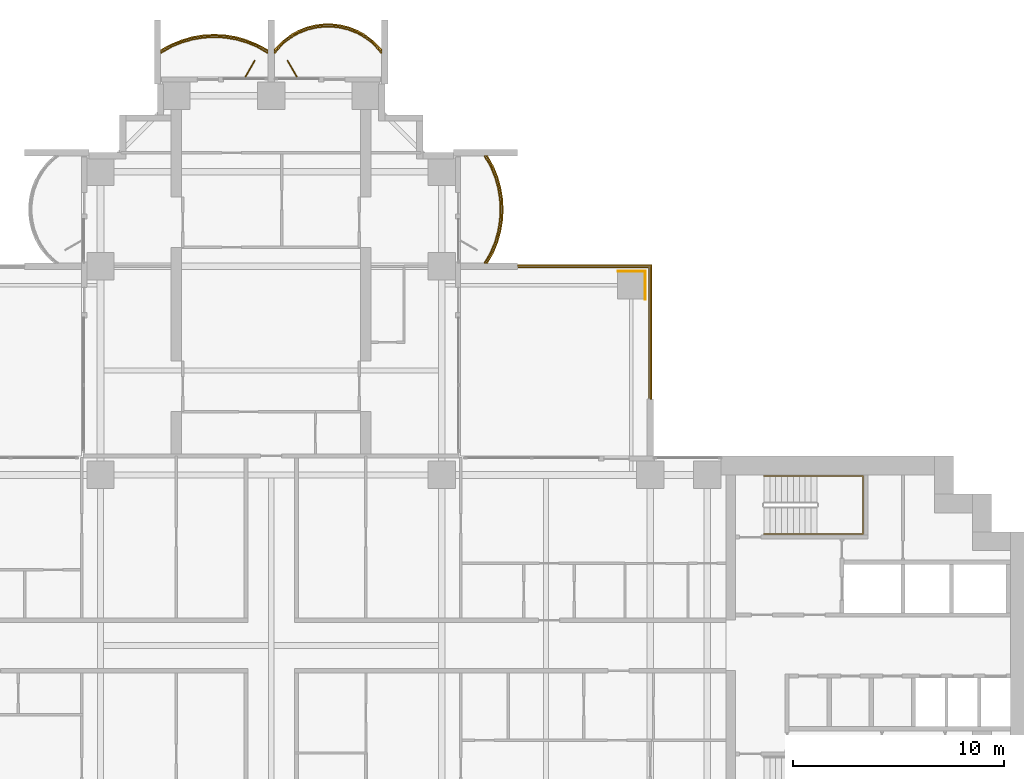
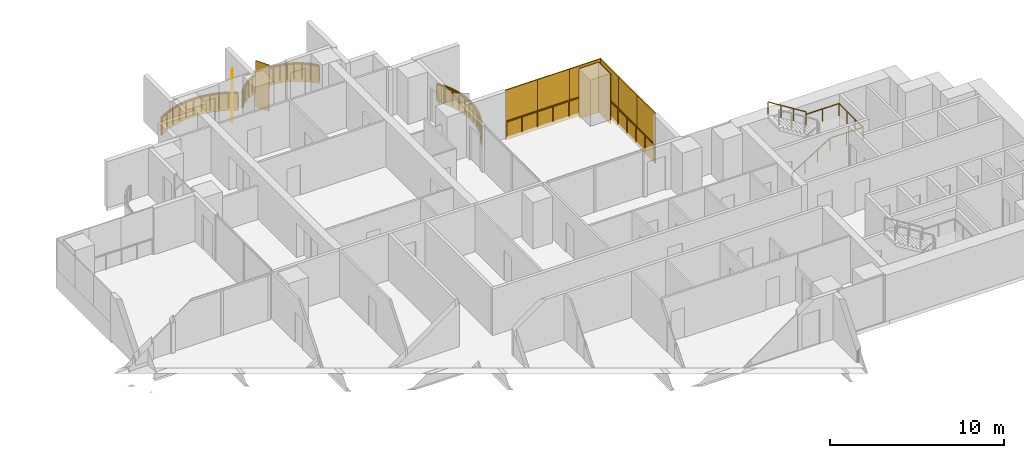
# One storey, part 20 of 20: 12 coverings, 5 railings, 2 shading devices.
"""IFC4 building model written with IfcOpenShell, lengths in metres."""

from ifc_helpers import new_model, si_unit, direction, frame, origin, origin_2d, place, context, subcontext, project, spatial, polyline, rectangle, outline, extrude, material, layer, layer_set, type_object, element, save


model = new_model("IFC4")

# Units and contexts
model_context = context("Model", 3, precision=1e-05, world=origin(), true_north=direction((0.0, 1.0)))
body_context = subcontext(model_context, "Body", "Model", "MODEL_VIEW")
ifc_project = project(units=[si_unit("LENGTHUNIT", "METRE"), si_unit("AREAUNIT", "SQUARE_METRE"), si_unit("VOLUMEUNIT", "CUBIC_METRE"), si_unit("PLANEANGLEUNIT", "RADIAN"), si_unit("MASSUNIT", "GRAM", prefix="KILO")], contexts=[model_context])

# Site, building, storey
site_placement = place(None, origin())
site = spatial("IfcSite", under=ifc_project, at=site_placement, CompositionType="ELEMENT")
building_placement = place(site_placement, origin())
building = spatial("IfcBuilding", under=site, at=building_placement, Name="Perihelion Cross Residences", CompositionType="ELEMENT")
storey_placement = place(building_placement, frame((0.0, 0.0, 82.0)))
storey = spatial("IfcBuildingStorey", under=building, at=storey_placement, Name="L18", CompositionType="ELEMENT", Elevation=82.0)

# Coverings
ifc_material_1 = material(Name="Bronze anodised aluminium", Category="aluminium")
ifc_layer_1 = layer(ifc_material_1, 0.070068359375)
ifc_layer_set_1 = layer_set([ifc_layer_1], Name="Balcony fascia 1300")
covering_type_1 = type_object("IfcCoveringType", Name="Balcony fascia 1300", PredefinedType="CLADDING", material=ifc_layer_set_1)
covering_1_placement = place(storey_placement, frame((0.0, 0.0, -0.199951171875)))
element("IfcCovering", 1, at=covering_1_placement, inside=storey, type_object=covering_type_1, Name="Fascia BF1 L18 north side east bay 2", PredefinedType="CLADDING", context=body_context, shape_type="SweptSolid", body=[
    extrude(outline(polyline([(10.54833984375, 18.629638671875), (10.7607421875, 19.147216796875), (10.906494140625, 19.664794921875), (10.991943359375, 20.182373046875), (11.02001953125, 20.699951171875), (10.991943359375, 21.217529296875), (10.906494140625, 21.735107421875), (10.7607421875, 22.2529296875), (10.54833984375, 22.7705078125), (10.2802734375, 23.25), (10.199951171875, 23.25), (10.4853515625, 22.739990234375), (10.694580078125, 22.22998046875), (10.838134765625, 21.719970703125), (10.92236328125, 21.2099609375), (10.949951171875, 20.699951171875), (10.92236328125, 20.18994140625), (10.838134765625, 19.679931640625), (10.694580078125, 19.169921875), (10.4853515625, 18.659912109375), (10.199951171875, 18.14990234375), (10.2802734375, 18.14990234375), (10.54833984375, 18.629638671875)])), origin(), (0.0, 0.0, 1.0), 1.300048828125),
])
covering_2_placement = place(storey_placement, frame((0.0, 0.0, -0.199951171875)))
element("IfcCovering", 2, at=covering_2_placement, inside=storey, type_object=covering_type_1, Name="Fascia BF1 L18 north tip north bay 1", PredefinedType="CLADDING", context=body_context, shape_type="SweptSolid", body=[
    extrude(outline(polyline([(4.90478515625, 28.674072265625), (4.50390625, 28.982666015625), (4.10302734375, 29.20654296875), (3.7021484375, 29.364013671875), (3.30126953125, 29.464599609375), (2.900390625, 29.513916015625), (2.49951171875, 29.513916015625), (2.0986328125, 29.464599609375), (1.69775390625, 29.364013671875), (1.296875, 29.20654296875), (0.89599609375, 28.982666015625), (0.4951171875, 28.674072265625), (0.14990234375, 28.302734375), (0.14990234375, 28.199951171875), (0.542236328125, 28.622314453125), (0.9345703125, 28.924072265625), (1.326904296875, 29.143310546875), (1.71923828125, 29.29736328125), (2.111572265625, 29.39599609375), (2.50390625, 29.444091796875), (2.896240234375, 29.444091796875), (3.28857421875, 29.39599609375), (3.6806640625, 29.29736328125), (4.072998046875, 29.143310546875), (4.46533203125, 28.924072265625), (4.857666015625, 28.622314453125), (5.25, 28.199951171875), (5.25, 28.302734375), (4.90478515625, 28.674072265625)])), origin(), (0.0, 0.0, 1.0), 1.300048828125),
])
covering_3_placement = place(storey_placement, frame((0.0, 0.0, -0.199951171875)))
element("IfcCovering", 3, at=covering_3_placement, inside=storey, type_object=covering_type_1, Name="Fascia BF1 L18 north tip north bay 2", PredefinedType="CLADDING", context=body_context, shape_type="SweptSolid", body=[
    extrude(outline(polyline([(-0.629638671875, 28.54833984375), (-1.147216796875, 28.7607421875), (-1.664794921875, 28.906494140625), (-2.182373046875, 28.991943359375), (-2.699951171875, 29.02001953125), (-3.217529296875, 28.991943359375), (-3.735107421875, 28.906494140625), (-4.2529296875, 28.7607421875), (-4.7705078125, 28.54833984375), (-5.25, 28.2802734375), (-5.25, 28.199951171875), (-4.739990234375, 28.4853515625), (-4.22998046875, 28.694580078125), (-3.719970703125, 28.838134765625), (-3.2099609375, 28.92236328125), (-2.699951171875, 28.949951171875), (-2.18994140625, 28.92236328125), (-1.679931640625, 28.838134765625), (-1.169921875, 28.694580078125), (-0.659912109375, 28.4853515625), (-0.14990234375, 28.199951171875), (-0.14990234375, 28.2802734375), (-0.629638671875, 28.54833984375)])), origin(), (0.0, 0.0, 1.0), 1.300048828125),
])

# Railings
ifc_material_2 = material(Name="Bronze anodised aluminium", Category="aluminium")
railing_type_1 = type_object("IfcRailingType", Name="Balcony guard 1100", PredefinedType="GUARDRAIL", material=ifc_material_2)
railing_1_placement = place(storey_placement, frame((10.139892578125, 18.175048828125, 0.0)))
element("IfcRailing", 4, at=railing_1_placement, inside=storey, type_object=railing_type_1, Name="Guard GU1 L18 north side east bay 2 balcony", PredefinedType="GUARDRAIL", context=body_context, shape_type="SweptSolid", body=[
    extrude(rectangle(XDim=0.048095703125, YDim=0.048095703125, at=origin_2d()), frame((0.0, 0.0, 1.076171875), z_axis=(0.507266632806, 0.861789164031, 0.0), x_axis=(-0.861789164031, 0.507266632806, 0.0)), (0.0, 0.0, 1.0), 0.562744140625),
    extrude(rectangle(XDim=0.048095703125, YDim=0.048095703125, at=origin_2d()), frame((0.285400390625, 0.48486328125, 1.076171875), z_axis=(0.379546636342, 0.925172605972, 0.0), x_axis=(-0.925172605972, 0.379546636342, 0.0)), (0.0, 0.0, 1.0), 0.55126953125),
    extrude(rectangle(XDim=0.048095703125, YDim=0.048095703125, at=origin_2d()), frame((0.49462890625, 0.994873046875, 1.076171875), z_axis=(0.271372618732, 0.962474364231, 0.0), x_axis=(-0.962474364231, 0.271372618732, 0.0)), (0.0, 0.0, 1.0), 0.52978515625),
    extrude(rectangle(XDim=0.048095703125, YDim=0.048095703125, at=origin_2d()), frame((0.638427734375, 1.5048828125, 1.076171875), z_axis=(0.162483799314, 0.986711211531, 0.0), x_axis=(-0.986711211531, 0.162483799314, 0.0)), (0.0, 0.0, 1.0), 0.516845703125),
    extrude(rectangle(XDim=0.048095703125, YDim=0.048095703125, at=origin_2d()), frame((0.722412109375, 2.014892578125, 1.076171875), z_axis=(0.05401390175, 0.998540183677, 0.0), x_axis=(-0.998540183677, 0.05401390175, 0.0)), (0.0, 0.0, 1.0), 0.5107421875),
    extrude(rectangle(XDim=0.048095703125, YDim=0.048095703125, at=origin_2d()), frame((0.75, 2.52490234375, 1.076171875), z_axis=(-0.05401390175, 0.998540183677, 0.0), x_axis=(-0.998540183677, -0.05401390175, 0.0)), (0.0, 0.0, 1.0), 0.5107421875),
    extrude(rectangle(XDim=0.048095703125, YDim=0.048095703125, at=origin_2d()), frame((0.722412109375, 3.034912109375, 1.076171875), z_axis=(-0.162483799314, 0.986711211531, 0.0), x_axis=(-0.986711211531, -0.162483799314, 0.0)), (0.0, 0.0, 1.0), 0.516845703125),
    extrude(rectangle(XDim=0.048095703125, YDim=0.048095703125, at=origin_2d()), frame((0.638427734375, 3.544921875, 1.076171875), z_axis=(-0.271372618732, 0.962474364231, 0.0), x_axis=(-0.962474364231, -0.271372618732, 0.0)), (0.0, 0.0, 1.0), 0.52978515625),
    extrude(rectangle(XDim=0.048095703125, YDim=0.048095703125, at=origin_2d()), frame((0.49462890625, 4.054931640625, 1.076171875), z_axis=(-0.379546636342, 0.925172605972, 0.0), x_axis=(-0.925172605972, -0.379546636342, 0.0)), (0.0, 0.0, 1.0), 0.55126953125),
    extrude(rectangle(XDim=0.048095703125, YDim=0.048095703125, at=origin_2d()), frame((0.285400390625, 4.56494140625, 1.076171875), z_axis=(-0.507076995033, 0.861900760591, 0.0), x_axis=(-0.861900760591, -0.507076995033, 0.0)), (0.0, 0.0, 1.0), 0.562744140625),
    extrude(rectangle(XDim=0.0419921875, YDim=0.0419921875, at=origin_2d()), origin(), (0.0, 0.0, 1.0), 1.052001953125),
    extrude(rectangle(XDim=0.0419921875, YDim=0.0419921875, at=origin_2d()), frame((0.285400390625, 0.48486328125, 0.0)), (0.0, 0.0, 1.0), 1.052001953125),
    extrude(rectangle(XDim=0.0419921875, YDim=0.0419921875, at=origin_2d()), frame((0.49462890625, 0.994873046875, 0.0)), (0.0, 0.0, 1.0), 1.052001953125),
    extrude(rectangle(XDim=0.0419921875, YDim=0.0419921875, at=origin_2d()), frame((0.638427734375, 1.5048828125, 0.0)), (0.0, 0.0, 1.0), 1.052001953125),
    extrude(rectangle(XDim=0.0419921875, YDim=0.0419921875, at=origin_2d()), frame((0.722412109375, 2.014892578125, 0.0)), (0.0, 0.0, 1.0), 1.052001953125),
    extrude(rectangle(XDim=0.0419921875, YDim=0.0419921875, at=origin_2d()), frame((0.75, 2.52490234375, 0.0)), (0.0, 0.0, 1.0), 1.052001953125),
    extrude(rectangle(XDim=0.0419921875, YDim=0.0419921875, at=origin_2d()), frame((0.722412109375, 3.034912109375, 0.0)), (0.0, 0.0, 1.0), 1.052001953125),
    extrude(rectangle(XDim=0.0419921875, YDim=0.0419921875, at=origin_2d()), frame((0.638427734375, 3.544921875, 0.0)), (0.0, 0.0, 1.0), 1.052001953125),
    extrude(rectangle(XDim=0.0419921875, YDim=0.0419921875, at=origin_2d()), frame((0.49462890625, 4.054931640625, 0.0)), (0.0, 0.0, 1.0), 1.052001953125),
    extrude(rectangle(XDim=0.0419921875, YDim=0.0419921875, at=origin_2d()), frame((0.285400390625, 4.56494140625, 0.0)), (0.0, 0.0, 1.0), 1.052001953125),
    extrude(rectangle(XDim=0.0419921875, YDim=0.0419921875, at=origin_2d()), frame((0.0, 5.050048828125, 0.0)), (0.0, 0.0, 1.0), 1.052001953125),
])
railing_2_placement = place(storey_placement, frame((5.22509765625, 28.139892578125, 0.0)))
element("IfcRailing", 5, at=railing_2_placement, inside=storey, type_object=railing_type_1, Name="Guard GU1 L18 north tip north bay 1 balcony", PredefinedType="GUARDRAIL", context=body_context, shape_type="SweptSolid", body=[
    extrude(rectangle(XDim=0.048095703125, YDim=0.048095703125, at=origin_2d()), frame((0.0, 0.0, 1.076171875), z_axis=(-0.656340655493, 0.754464673757, 0.0), x_axis=(-0.754464673757, -0.656340655493, 0.0)), (0.0, 0.0, 1.0), 0.559814453125),
    extrude(rectangle(XDim=0.048095703125, YDim=0.048095703125, at=origin_2d()), frame((-0.367431640625, 0.42236328125, 1.076171875), z_axis=(-0.792660660899, 0.60966308455, 0.0), x_axis=(-0.60966308455, -0.792660660899, 0.0)), (0.0, 0.0, 1.0), 0.494873046875),
    extrude(rectangle(XDim=0.048095703125, YDim=0.048095703125, at=origin_2d()), frame((-0.759765625, 0.72412109375, 1.076171875), z_axis=(-0.872950285698, 0.487809182674, 0.0), x_axis=(-0.487809182674, -0.872950285698, 0.0)), (0.0, 0.0, 1.0), 0.449462890625),
    extrude(rectangle(XDim=0.048095703125, YDim=0.048095703125, at=origin_2d()), frame((-1.152099609375, 0.943359375, 1.076171875), z_axis=(-0.930814842219, 0.365491079925, 0.0), x_axis=(-0.365491079925, -0.930814842219, 0.0)), (0.0, 0.0, 1.0), 0.42138671875),
    extrude(rectangle(XDim=0.048095703125, YDim=0.048095703125, at=origin_2d()), frame((-1.54443359375, 1.097412109375, 1.076171875), z_axis=(-0.969786252666, 0.243956193074, 0.0), x_axis=(-0.243956193074, -0.969786252666, 0.0)), (0.0, 0.0, 1.0), 0.404296875),
    extrude(rectangle(XDim=0.048095703125, YDim=0.048095703125, at=origin_2d()), frame((-1.9365234375, 1.196044921875, 1.076171875), z_axis=(-0.992569651699, 0.121677797999, 0.0), x_axis=(-0.121677797999, -0.992569651699, 0.0)), (0.0, 0.0, 1.0), 0.395263671875),
    extrude(rectangle(XDim=0.048095703125, YDim=0.048095703125, at=origin_2d()), frame((-2.328857421875, 1.244140625, 1.076171875), z_axis=(-1.0, 0.0, 0.0), x_axis=(0.0, -1.0, 0.0)), (0.0, 0.0, 1.0), 0.392333984375),
    extrude(rectangle(XDim=0.048095703125, YDim=0.048095703125, at=origin_2d()), frame((-2.72119140625, 1.244140625, 1.076171875), z_axis=(-0.992569651699, -0.121677797999, 0.0), x_axis=(0.121677797999, -0.992569651699, 0.0)), (0.0, 0.0, 1.0), 0.395263671875),
    extrude(rectangle(XDim=0.048095703125, YDim=0.048095703125, at=origin_2d()), frame((-3.113525390625, 1.196044921875, 1.076171875), z_axis=(-0.969822159145, -0.243813411509, 0.0), x_axis=(0.243813411509, -0.969822159145, 0.0)), (0.0, 0.0, 1.0), 0.404541015625),
    extrude(rectangle(XDim=0.048095703125, YDim=0.048095703125, at=origin_2d()), frame((-3.505859375, 1.097412109375, 1.076171875), z_axis=(-0.930814842219, -0.365491079925, 0.0), x_axis=(0.365491079925, -0.930814842219, 0.0)), (0.0, 0.0, 1.0), 0.42138671875),
    extrude(rectangle(XDim=0.048095703125, YDim=0.048095703125, at=origin_2d()), frame((-3.898193359375, 0.943359375, 1.076171875), z_axis=(-0.872950285698, -0.487809182674, 0.0), x_axis=(0.487809182674, -0.872950285698, 0.0)), (0.0, 0.0, 1.0), 0.449462890625),
    extrude(rectangle(XDim=0.048095703125, YDim=0.048095703125, at=origin_2d()), frame((-4.29052734375, 0.72412109375, 1.076171875), z_axis=(-0.792660660899, -0.60966308455, 0.0), x_axis=(0.60966308455, -0.792660660899, 0.0)), (0.0, 0.0, 1.0), 0.494873046875),
    extrude(rectangle(XDim=0.048095703125, YDim=0.048095703125, at=origin_2d()), frame((-4.682861328125, 0.42236328125, 1.076171875), z_axis=(-0.656092309534, -0.754680648599, 0.0), x_axis=(0.754680648599, -0.656092309534, 0.0)), (0.0, 0.0, 1.0), 0.5595703125),
    extrude(rectangle(XDim=0.0419921875, YDim=0.0419921875, at=origin_2d()), origin(), (0.0, 0.0, 1.0), 1.052001953125),
    extrude(rectangle(XDim=0.0419921875, YDim=0.0419921875, at=origin_2d()), frame((-0.367431640625, 0.42236328125, 0.0)), (0.0, 0.0, 1.0), 1.052001953125),
    extrude(rectangle(XDim=0.0419921875, YDim=0.0419921875, at=origin_2d()), frame((-0.759765625, 0.72412109375, 0.0)), (0.0, 0.0, 1.0), 1.052001953125),
    extrude(rectangle(XDim=0.0419921875, YDim=0.0419921875, at=origin_2d()), frame((-1.152099609375, 0.943359375, 0.0)), (0.0, 0.0, 1.0), 1.052001953125),
    extrude(rectangle(XDim=0.0419921875, YDim=0.0419921875, at=origin_2d()), frame((-1.54443359375, 1.097412109375, 0.0)), (0.0, 0.0, 1.0), 1.052001953125),
    extrude(rectangle(XDim=0.0419921875, YDim=0.0419921875, at=origin_2d()), frame((-1.9365234375, 1.196044921875, 0.0)), (0.0, 0.0, 1.0), 1.052001953125),
    extrude(rectangle(XDim=0.0419921875, YDim=0.0419921875, at=origin_2d()), frame((-2.328857421875, 1.244140625, 0.0)), (0.0, 0.0, 1.0), 1.052001953125),
    extrude(rectangle(XDim=0.0419921875, YDim=0.0419921875, at=origin_2d()), frame((-2.72119140625, 1.244140625, 0.0)), (0.0, 0.0, 1.0), 1.052001953125),
    extrude(rectangle(XDim=0.0419921875, YDim=0.0419921875, at=origin_2d()), frame((-3.113525390625, 1.196044921875, 0.0)), (0.0, 0.0, 1.0), 1.052001953125),
    extrude(rectangle(XDim=0.0419921875, YDim=0.0419921875, at=origin_2d()), frame((-3.505859375, 1.097412109375, 0.0)), (0.0, 0.0, 1.0), 1.052001953125),
    extrude(rectangle(XDim=0.0419921875, YDim=0.0419921875, at=origin_2d()), frame((-3.898193359375, 0.943359375, 0.0)), (0.0, 0.0, 1.0), 1.052001953125),
    extrude(rectangle(XDim=0.0419921875, YDim=0.0419921875, at=origin_2d()), frame((-4.29052734375, 0.72412109375, 0.0)), (0.0, 0.0, 1.0), 1.052001953125),
    extrude(rectangle(XDim=0.0419921875, YDim=0.0419921875, at=origin_2d()), frame((-4.682861328125, 0.42236328125, 0.0)), (0.0, 0.0, 1.0), 1.052001953125),
    extrude(rectangle(XDim=0.0419921875, YDim=0.0419921875, at=origin_2d()), frame((-5.050048828125, 0.0, 0.0)), (0.0, 0.0, 1.0), 1.052001953125),
])
railing_3_placement = place(storey_placement, frame((-0.175048828125, 28.139892578125, 0.0)))
element("IfcRailing", 6, at=railing_3_placement, inside=storey, type_object=railing_type_1, Name="Guard GU1 L18 north tip north bay 2 balcony", PredefinedType="GUARDRAIL", context=body_context, shape_type="SweptSolid", body=[
    extrude(rectangle(XDim=0.048095703125, YDim=0.048095703125, at=origin_2d()), frame((0.0, 0.0, 1.076171875), z_axis=(-0.861789164031, 0.507266632806, 0.0), x_axis=(-0.507266632806, -0.861789164031, 0.0)), (0.0, 0.0, 1.0), 0.562744140625),
    extrude(rectangle(XDim=0.048095703125, YDim=0.048095703125, at=origin_2d()), frame((-0.48486328125, 0.285400390625, 1.076171875), z_axis=(-0.925172605972, 0.379546636342, 0.0), x_axis=(-0.379546636342, -0.925172605972, 0.0)), (0.0, 0.0, 1.0), 0.55126953125),
    extrude(rectangle(XDim=0.048095703125, YDim=0.048095703125, at=origin_2d()), frame((-0.994873046875, 0.49462890625, 1.076171875), z_axis=(-0.962474364231, 0.271372618732, 0.0), x_axis=(-0.271372618732, -0.962474364231, 0.0)), (0.0, 0.0, 1.0), 0.52978515625),
    extrude(rectangle(XDim=0.048095703125, YDim=0.048095703125, at=origin_2d()), frame((-1.5048828125, 0.638427734375, 1.076171875), z_axis=(-0.986711211531, 0.162483799314, 0.0), x_axis=(-0.162483799314, -0.986711211531, 0.0)), (0.0, 0.0, 1.0), 0.516845703125),
    extrude(rectangle(XDim=0.048095703125, YDim=0.048095703125, at=origin_2d()), frame((-2.014892578125, 0.722412109375, 1.076171875), z_axis=(-0.998540183677, 0.05401390175, 0.0), x_axis=(-0.05401390175, -0.998540183677, 0.0)), (0.0, 0.0, 1.0), 0.5107421875),
    extrude(rectangle(XDim=0.048095703125, YDim=0.048095703125, at=origin_2d()), frame((-2.52490234375, 0.75, 1.076171875), z_axis=(-0.998540183677, -0.05401390175, 0.0), x_axis=(0.05401390175, -0.998540183677, 0.0)), (0.0, 0.0, 1.0), 0.5107421875),
    extrude(rectangle(XDim=0.048095703125, YDim=0.048095703125, at=origin_2d()), frame((-3.034912109375, 0.722412109375, 1.076171875), z_axis=(-0.986711211531, -0.162483799314, 0.0), x_axis=(0.162483799314, -0.986711211531, 0.0)), (0.0, 0.0, 1.0), 0.516845703125),
    extrude(rectangle(XDim=0.048095703125, YDim=0.048095703125, at=origin_2d()), frame((-3.544921875, 0.638427734375, 1.076171875), z_axis=(-0.962474364231, -0.271372618732, 0.0), x_axis=(0.271372618732, -0.962474364231, 0.0)), (0.0, 0.0, 1.0), 0.52978515625),
    extrude(rectangle(XDim=0.048095703125, YDim=0.048095703125, at=origin_2d()), frame((-4.054931640625, 0.49462890625, 1.076171875), z_axis=(-0.925172605972, -0.379546636342, 0.0), x_axis=(0.379546636342, -0.925172605972, 0.0)), (0.0, 0.0, 1.0), 0.55126953125),
    extrude(rectangle(XDim=0.048095703125, YDim=0.048095703125, at=origin_2d()), frame((-4.56494140625, 0.285400390625, 1.076171875), z_axis=(-0.861900760591, -0.507076995033, 0.0), x_axis=(0.507076995033, -0.861900760591, 0.0)), (0.0, 0.0, 1.0), 0.562744140625),
    extrude(rectangle(XDim=0.0419921875, YDim=0.0419921875, at=origin_2d()), origin(), (0.0, 0.0, 1.0), 1.052001953125),
    extrude(rectangle(XDim=0.0419921875, YDim=0.0419921875, at=origin_2d()), frame((-0.48486328125, 0.285400390625, 0.0)), (0.0, 0.0, 1.0), 1.052001953125),
    extrude(rectangle(XDim=0.0419921875, YDim=0.0419921875, at=origin_2d()), frame((-0.994873046875, 0.49462890625, 0.0)), (0.0, 0.0, 1.0), 1.052001953125),
    extrude(rectangle(XDim=0.0419921875, YDim=0.0419921875, at=origin_2d()), frame((-1.5048828125, 0.638427734375, 0.0)), (0.0, 0.0, 1.0), 1.052001953125),
    extrude(rectangle(XDim=0.0419921875, YDim=0.0419921875, at=origin_2d()), frame((-2.014892578125, 0.722412109375, 0.0)), (0.0, 0.0, 1.0), 1.052001953125),
    extrude(rectangle(XDim=0.0419921875, YDim=0.0419921875, at=origin_2d()), frame((-2.52490234375, 0.75, 0.0)), (0.0, 0.0, 1.0), 1.052001953125),
    extrude(rectangle(XDim=0.0419921875, YDim=0.0419921875, at=origin_2d()), frame((-3.034912109375, 0.722412109375, 0.0)), (0.0, 0.0, 1.0), 1.052001953125),
    extrude(rectangle(XDim=0.0419921875, YDim=0.0419921875, at=origin_2d()), frame((-3.544921875, 0.638427734375, 0.0)), (0.0, 0.0, 1.0), 1.052001953125),
    extrude(rectangle(XDim=0.0419921875, YDim=0.0419921875, at=origin_2d()), frame((-4.054931640625, 0.49462890625, 0.0)), (0.0, 0.0, 1.0), 1.052001953125),
    extrude(rectangle(XDim=0.0419921875, YDim=0.0419921875, at=origin_2d()), frame((-4.56494140625, 0.285400390625, 0.0)), (0.0, 0.0, 1.0), 1.052001953125),
    extrude(rectangle(XDim=0.0419921875, YDim=0.0419921875, at=origin_2d()), frame((-5.050048828125, 0.0, 0.0)), (0.0, 0.0, 1.0), 1.052001953125),
])
railing_4_placement = place(storey_placement, frame((11.739990234375, 17.93994140625, 0.0)))
element("IfcRailing", 7, at=railing_4_placement, inside=storey, type_object=railing_type_1, Name="Guard GU1 L18 pocket north-east 1", PredefinedType="GUARDRAIL", context=body_context, shape_type="SweptSolid", body=[
    extrude(rectangle(XDim=0.048095703125, YDim=0.048095703125, at=origin_2d()), frame((0.0, 0.0, 1.076171875), z_axis=(1.0, 0.0, 0.0), x_axis=(0.0, 1.0, 0.0)), (0.0, 0.0, 1.0), 6.199951171875),
    extrude(rectangle(XDim=0.048095703125, YDim=0.048095703125, at=origin_2d()), frame((6.199951171875, 0.0, 1.076171875), z_axis=(0.0, -1.0, 0.0), x_axis=(1.0, 0.0, 0.0)), (0.0, 0.0, 1.0), 6.199951171875),
    extrude(rectangle(XDim=0.0419921875, YDim=0.0419921875, at=origin_2d()), origin(), (0.0, 0.0, 1.0), 1.052001953125),
    extrude(rectangle(XDim=0.0419921875, YDim=0.0419921875, at=origin_2d()), frame((1.033203125, 0.0, 0.0)), (0.0, 0.0, 1.0), 1.052001953125),
    extrude(rectangle(XDim=0.0419921875, YDim=0.0419921875, at=origin_2d()), frame((2.066650390625, 0.0, 0.0)), (0.0, 0.0, 1.0), 1.052001953125),
    extrude(rectangle(XDim=0.0419921875, YDim=0.0419921875, at=origin_2d()), frame((3.10009765625, 0.0, 0.0)), (0.0, 0.0, 1.0), 1.052001953125),
    extrude(rectangle(XDim=0.0419921875, YDim=0.0419921875, at=origin_2d()), frame((4.13330078125, 0.0, 0.0)), (0.0, 0.0, 1.0), 1.052001953125),
    extrude(rectangle(XDim=0.0419921875, YDim=0.0419921875, at=origin_2d()), frame((5.16650390625, 0.0, 0.0)), (0.0, 0.0, 1.0), 1.052001953125),
    extrude(rectangle(XDim=0.0419921875, YDim=0.0419921875, at=origin_2d()), frame((6.199951171875, 0.0, 0.0)), (0.0, 0.0, 1.0), 1.052001953125),
    extrude(rectangle(XDim=0.0419921875, YDim=0.0419921875, at=origin_2d()), frame((6.199951171875, -1.033203125, 0.0)), (0.0, 0.0, 1.0), 1.052001953125),
    extrude(rectangle(XDim=0.0419921875, YDim=0.0419921875, at=origin_2d()), frame((6.199951171875, -2.066650390625, 0.0)), (0.0, 0.0, 1.0), 1.052001953125),
    extrude(rectangle(XDim=0.0419921875, YDim=0.0419921875, at=origin_2d()), frame((6.199951171875, -3.10009765625, 0.0)), (0.0, 0.0, 1.0), 1.052001953125),
    extrude(rectangle(XDim=0.0419921875, YDim=0.0419921875, at=origin_2d()), frame((6.199951171875, -4.13330078125, 0.0)), (0.0, 0.0, 1.0), 1.052001953125),
    extrude(rectangle(XDim=0.0419921875, YDim=0.0419921875, at=origin_2d()), frame((6.199951171875, -5.16650390625, 0.0)), (0.0, 0.0, 1.0), 1.052001953125),
    extrude(rectangle(XDim=0.0419921875, YDim=0.0419921875, at=origin_2d()), frame((6.199951171875, -6.199951171875, 0.0)), (0.0, 0.0, 1.0), 1.052001953125),
])

# Coverings
ifc_material_3 = material(Name="Bronze anodised aluminium", Category="aluminium")
ifc_layer_2 = layer(ifc_material_3, 0.0400390625)
ifc_layer_set_2 = layer_set([ifc_layer_2], Name="Bronze column casing 40")
covering_type_2 = type_object("IfcCoveringType", Name="Bronze column casing 40", PredefinedType="CLADDING", material=ifc_layer_set_2)
covering_4_placement = place(storey_placement, frame((17.77001953125, 17.10009765625, -0.25), z_axis=(0.0, 0.0, 1.0), x_axis=(1.0, 0.0, 0.0)))
element("IfcCovering", 8, at=covering_4_placement, inside=storey, type_object=covering_type_2, Name="Cladding CC1 L18 casing east-west no. 4", PredefinedType="CLADDING", context=body_context, shape_type="SweptSolid", body=[
    extrude(rectangle(XDim=0.0400390625, YDim=1.3798828125, at=origin_2d()), origin(), (0.0, 0.0, 1.0), 3.5),
])
covering_5_placement = place(storey_placement, frame((17.10009765625, 17.77001953125, -0.25), z_axis=(0.0, 0.0, 1.0), x_axis=(1.0, 0.0, 0.0)))
element("IfcCovering", 9, at=covering_5_placement, inside=storey, type_object=covering_type_2, Name="Cladding CC1 L18 casing north-south no. 4", PredefinedType="CLADDING", context=body_context, shape_type="SweptSolid", body=[
    extrude(rectangle(XDim=1.300048828125, YDim=0.0400390625, at=origin_2d()), origin(), (0.0, 0.0, 1.0), 3.5),
])

# Shading devices
ifc_material_4 = material(Name="Bronze anodised aluminium", Category="aluminium")
ifc_layer_3 = layer(ifc_material_4, 0.050048828125)
ifc_layer_set_3 = layer_set([ifc_layer_3], Name="Bronze fin 900")
shading_device_type = type_object("IfcShadingDeviceType", Name="Bronze fin 900", PredefinedType="USERDEFINED", material=ifc_layer_set_3)
for number, where, z_axis, x_axis, name in (
    (10, (1.0, 27.3896484375, 0.0), (0.0, 0.0, 1.0), (-0.5, 0.866025403784, 0.0), "Fin FN1 L18 north tip north bay 1"),
    (11, (-1.0, 27.3896484375, 0.0), (0.0, 0.0, 1.0), (0.5, 0.866025403784, 0.0), "Fin FN1 L18 north tip north bay 2"),
):
    element("IfcShadingDevice", number, at=place(storey_placement, frame(where, z_axis=z_axis, x_axis=x_axis)), inside=storey, type_object=shading_device_type, Name=name, ObjectType="FIN", PredefinedType="USERDEFINED", context=body_context, shape_type="SweptSolid", body=[
        extrude(rectangle(XDim=0.89990234375, YDim=0.050048828125, at=origin_2d()), origin(), (0.0, 0.0, 1.0), 3.25),
    ])

# Coverings
ifc_material_5 = material(Name="Bronze anodised aluminium", Category="aluminium")
ifc_layer_4 = layer(ifc_material_5, 0.070068359375)
ifc_layer_set_4 = layer_set([ifc_layer_4], Name="Pocket fascia 1350")
covering_type_3 = type_object("IfcCoveringType", Name="Pocket fascia 1350", PredefinedType="CLADDING", material=ifc_layer_set_4)
covering_6_placement = place(storey_placement, frame((0.0, 0.0, -0.25)))
element("IfcCovering", 12, at=covering_6_placement, inside=storey, type_object=covering_type_3, Name="Fascia BF2 L18 pocket north-east 3", PredefinedType="CLADDING", context=body_context, shape_type="SweptSolid", body=[
    extrude(outline(polyline([(18.070068359375, 18.070068359375), (11.699951171875, 18.070068359375), (11.699951171875, 18.0), (18.0, 18.0), (18.0, 11.699951171875), (18.070068359375, 11.699951171875), (18.070068359375, 18.070068359375)])), origin(), (0.0, 0.0, 1.0), 1.35009765625),
])
ifc_material_6 = material(Name="Bronze perforated aluminium", Category="aluminium")
ifc_layer_5 = layer(ifc_material_6, 0.070068359375)
ifc_layer_set_5 = layer_set([ifc_layer_5], Name="Pocket solar screen, bronze perforated")
covering_type_4 = type_object("IfcCoveringType", Name="Pocket solar screen, bronze perforated", PredefinedType="CLADDING", material=ifc_layer_set_5)
covering_7_placement = place(storey_placement, frame((0.0, 0.0, 1.10009765625)))
element("IfcCovering", 13, at=covering_7_placement, inside=storey, type_object=covering_type_4, Name="Solar screen PS1 L18 pocket north-east no. 1", PredefinedType="CLADDING", context=body_context, shape_type="SweptSolid", body=[
    extrude(outline(polyline([(18.070068359375, 11.699951171875), (18.070068359375, 13.800048828125), (18.0, 13.800048828125), (18.0, 11.699951171875), (18.070068359375, 11.699951171875)])), origin(), (0.0, 0.0, 1.0), 2.14990234375),
])
covering_8_placement = place(storey_placement, frame((0.0, 0.0, 1.10009765625)))
element("IfcCovering", 14, at=covering_8_placement, inside=storey, type_object=covering_type_4, Name="Solar screen PS1 L18 pocket north-east no. 2", PredefinedType="CLADDING", context=body_context, shape_type="SweptSolid", body=[
    extrude(outline(polyline([(18.070068359375, 13.800048828125), (18.070068359375, 15.89990234375), (18.0, 15.89990234375), (18.0, 13.800048828125), (18.070068359375, 13.800048828125)])), origin(), (0.0, 0.0, 1.0), 2.14990234375),
])
covering_9_placement = place(storey_placement, frame((0.0, 0.0, 1.10009765625)))
element("IfcCovering", 15, at=covering_9_placement, inside=storey, type_object=covering_type_4, Name="Solar screen PS1 L18 pocket north-east no. 3", PredefinedType="CLADDING", context=body_context, shape_type="SweptSolid", body=[
    extrude(outline(polyline([(18.070068359375, 15.89990234375), (18.070068359375, 18.0), (18.0, 18.0), (18.0, 15.89990234375), (18.070068359375, 15.89990234375)])), origin(), (0.0, 0.0, 1.0), 2.14990234375),
])
covering_10_placement = place(storey_placement, frame((0.0, 0.0, 1.10009765625)))
element("IfcCovering", 16, at=covering_10_placement, inside=storey, type_object=covering_type_4, Name="Solar screen PS1 L18 pocket north-east no. 4", PredefinedType="CLADDING", context=body_context, shape_type="SweptSolid", body=[
    extrude(outline(polyline([(13.8232421875, 18.0), (13.8232421875, 18.070068359375), (11.699951171875, 18.070068359375), (11.699951171875, 18.0), (13.8232421875, 18.0)])), origin(), (0.0, 0.0, 1.0), 2.14990234375),
])
covering_11_placement = place(storey_placement, frame((0.0, 0.0, 1.10009765625)))
element("IfcCovering", 17, at=covering_11_placement, inside=storey, type_object=covering_type_4, Name="Solar screen PS1 L18 pocket north-east no. 5", PredefinedType="CLADDING", context=body_context, shape_type="SweptSolid", body=[
    extrude(outline(polyline([(15.94677734375, 18.0), (15.94677734375, 18.070068359375), (13.8232421875, 18.070068359375), (13.8232421875, 18.0), (15.94677734375, 18.0)])), origin(), (0.0, 0.0, 1.0), 2.14990234375),
])
covering_12_placement = place(storey_placement, frame((0.0, 0.0, 1.10009765625)))
element("IfcCovering", 18, at=covering_12_placement, inside=storey, type_object=covering_type_4, Name="Solar screen PS1 L18 pocket north-east no. 6", PredefinedType="CLADDING", context=body_context, shape_type="SweptSolid", body=[
    extrude(outline(polyline([(18.070068359375, 18.0), (18.070068359375, 18.070068359375), (15.94677734375, 18.070068359375), (15.94677734375, 18.0), (18.070068359375, 18.0)])), origin(), (0.0, 0.0, 1.0), 2.14990234375),
])

# Railing
ifc_material_7 = material(Name="Stainless steel", Category="steel")
railing_type_2 = type_object("IfcRailingType", Name="Stair handrail 900", PredefinedType="HANDRAIL", material=ifc_material_7)
railing_5_placement = place(storey_placement, frame((23.39990234375, 5.300048828125, 0.175048828125)))
element("IfcRailing", 19, at=railing_5_placement, inside=storey, type_object=railing_type_2, Name="L18 ST-E1 stair handrail 1", PredefinedType="HANDRAIL", context=body_context, shape_type="SweptSolid", body=[
    extrude(rectangle(XDim=0.048095703125, YDim=0.048095703125, at=origin_2d()), frame((0.0, 0.0, 0.8759765625), z_axis=(0.848007534815, 0.0, 0.529984170421), x_axis=(0.0, 1.0, 0.0)), (0.0, 0.0, 1.0), 2.9716796875),
    extrude(rectangle(XDim=0.048095703125, YDim=0.048095703125, at=origin_2d()), frame((2.52001953125, 0.0, 2.45068359375), z_axis=(1.0, 0.0, 0.0), x_axis=(0.0, 1.0, 0.0)), (0.0, 0.0, 1.0), 2.18017578125),
    extrude(rectangle(XDim=0.048095703125, YDim=0.048095703125, at=origin_2d()), frame((4.7001953125, 0.0, 2.45068359375), z_axis=(0.0, 1.0, 0.0), x_axis=(-1.0, 0.0, 0.0)), (0.0, 0.0, 1.0), 2.75),
    extrude(rectangle(XDim=0.048095703125, YDim=0.048095703125, at=origin_2d()), frame((4.7001953125, 2.75, 2.45068359375), z_axis=(-1.0, 0.0, 0.0), x_axis=(0.0, -1.0, 0.0)), (0.0, 0.0, 1.0), 2.18017578125),
    extrude(rectangle(XDim=0.048095703125, YDim=0.048095703125, at=origin_2d()), frame((2.52001953125, 2.75, 2.45068359375), z_axis=(0.0, 0.0, 1.0), x_axis=(1.0, 0.0, 0.0)), (0.0, 0.0, 1.0), 0.175048828125),
    extrude(rectangle(XDim=0.048095703125, YDim=0.048095703125, at=origin_2d()), frame((2.52001953125, 2.75, 2.6259765625), z_axis=(-0.848007534815, 0.0, 0.529984170421), x_axis=(0.0, -1.0, 0.0)), (0.0, 0.0, 1.0), 2.9716796875),
    extrude(rectangle(XDim=0.0419921875, YDim=0.0419921875, at=origin_2d()), origin(), (0.0, 0.0, 1.0), 0.851806640625),
    extrude(rectangle(XDim=0.0419921875, YDim=0.0419921875, at=origin_2d()), frame((0.840087890625, 0.0, 0.52490234375)), (0.0, 0.0, 1.0), 0.851806640625),
    extrude(rectangle(XDim=0.0419921875, YDim=0.0419921875, at=origin_2d()), frame((1.679931640625, 0.0, 1.050048828125)), (0.0, 0.0, 1.0), 0.851806640625),
    extrude(rectangle(XDim=0.0419921875, YDim=0.0419921875, at=origin_2d()), frame((2.52001953125, 0.0, 1.574951171875)), (0.0, 0.0, 1.0), 0.851806640625),
    extrude(rectangle(XDim=0.0419921875, YDim=0.0419921875, at=origin_2d()), frame((3.610107421875, 0.0, 1.574951171875)), (0.0, 0.0, 1.0), 0.851806640625),
    extrude(rectangle(XDim=0.0419921875, YDim=0.0419921875, at=origin_2d()), frame((4.7001953125, 0.0, 1.574951171875)), (0.0, 0.0, 1.0), 0.851806640625),
    extrude(rectangle(XDim=0.0419921875, YDim=0.0419921875, at=origin_2d()), frame((4.7001953125, 0.916748046875, 1.574951171875)), (0.0, 0.0, 1.0), 0.851806640625),
    extrude(rectangle(XDim=0.0419921875, YDim=0.0419921875, at=origin_2d()), frame((4.7001953125, 1.833251953125, 1.574951171875)), (0.0, 0.0, 1.0), 0.851806640625),
    extrude(rectangle(XDim=0.0419921875, YDim=0.0419921875, at=origin_2d()), frame((4.7001953125, 2.75, 1.574951171875)), (0.0, 0.0, 1.0), 0.851806640625),
    extrude(rectangle(XDim=0.0419921875, YDim=0.0419921875, at=origin_2d()), frame((3.610107421875, 2.75, 1.574951171875)), (0.0, 0.0, 1.0), 0.851806640625),
    extrude(rectangle(XDim=0.0419921875, YDim=0.0419921875, at=origin_2d()), frame((2.52001953125, 2.75, 1.574951171875)), (0.0, 0.0, 1.0), 0.851806640625),
    extrude(rectangle(XDim=0.0419921875, YDim=0.0419921875, at=origin_2d()), frame((2.52001953125, 2.75, 1.75)), (0.0, 0.0, 1.0), 0.851806640625),
    extrude(rectangle(XDim=0.0419921875, YDim=0.0419921875, at=origin_2d()), frame((1.679931640625, 2.75, 2.27490234375)), (0.0, 0.0, 1.0), 0.851806640625),
    extrude(rectangle(XDim=0.0419921875, YDim=0.0419921875, at=origin_2d()), frame((0.840087890625, 2.75, 2.800048828125)), (0.0, 0.0, 1.0), 0.851806640625),
    extrude(rectangle(XDim=0.0419921875, YDim=0.0419921875, at=origin_2d()), frame((0.0, 2.75, 3.324951171875)), (0.0, 0.0, 1.0), 0.851806640625),
])

save(model, "model.ifc")
